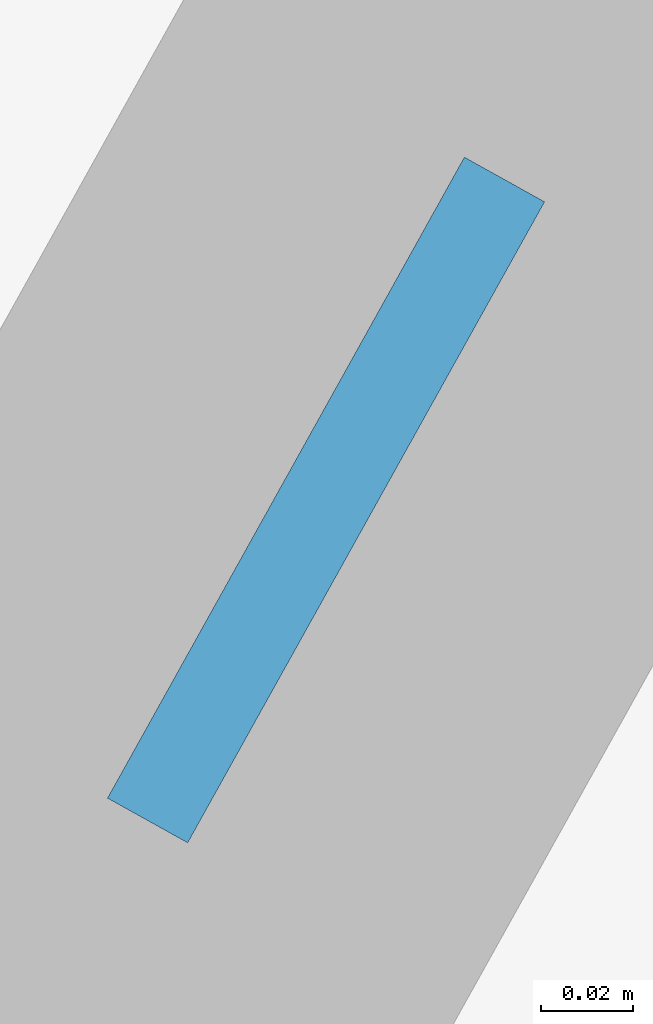
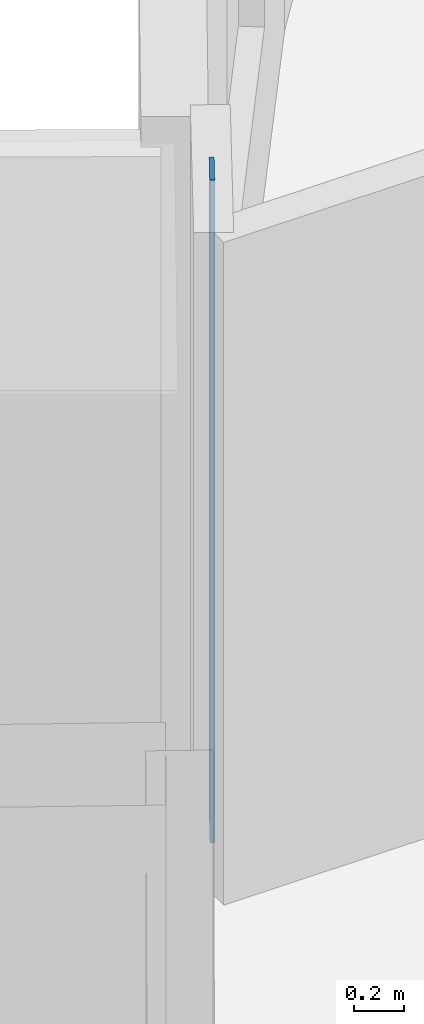
# One storey, part 2 of 12: 1 plate.
"""IFC4 building model written with IfcOpenShell, lengths in metres."""

from ifc_helpers import new_model, si_unit, direction, frame, origin, origin_2d, place, context, subcontext, project, spatial, rectangle, extrude, material, layer, layer_set, type_object, element, save


model = new_model("IFC4")

# Units and contexts
model_context = context("Model", 3, precision=1e-05, world=origin(), true_north=direction((0.0, 1.0)))
body_context = subcontext(model_context, "Body", "Model", "MODEL_VIEW")
ifc_project = project(units=[si_unit("LENGTHUNIT", "METRE"), si_unit("AREAUNIT", "SQUARE_METRE"), si_unit("VOLUMEUNIT", "CUBIC_METRE"), si_unit("PLANEANGLEUNIT", "RADIAN"), si_unit("MASSUNIT", "GRAM", prefix="KILO")], contexts=[model_context])

# Site, building, storey
site_placement = place(None, origin())
site = spatial("IfcSite", under=ifc_project, at=site_placement, CompositionType="ELEMENT")
building_placement = place(site_placement, origin())
building = spatial("IfcBuilding", under=site, at=building_placement, Name="Miruveldt Soraemaru", CompositionType="ELEMENT")
storey_placement = place(building_placement, frame((0.0, 0.0, 145.89990234375)))
storey = spatial("IfcBuildingStorey", under=building, at=storey_placement, Name="L40", CompositionType="ELEMENT", Elevation=145.89990234375)

# Plate
ifc_material = material(Name="Anodised aluminium EN AW-6063 T6", Category="aluminium")
ifc_layer = layer(ifc_material, 0.02001953125, Name="Anodised aluminium EN AW-6063 T6", Category="aluminium")
ifc_layer_set = layer_set([ifc_layer], Name="Anodised aluminium EN AW-6063 T6")
plate_type = type_object("IfcPlateType", Name="PLT-PART-TRIM", PredefinedType="SHEET", material=ifc_layer_set)
plate_placement = place(storey_placement, frame((30.999755859375, 54.939208984375, 0.0), z_axis=(0.0, 0.0, 1.0), x_axis=(0.486487875037, 0.873687328191, 0.0)))
element("IfcPlate", 1, at=plate_placement, inside=storey, type_object=plate_type, Name="L40 Partition Step Corner Trim Plate 002", PredefinedType="SHEET", context=body_context, shape_type="SweptSolid", body=[
    extrude(rectangle(XDim=0.159912109375, YDim=0.02001953125, at=origin_2d()), origin(), (0.0, 0.0, 1.0), 3.235107421875),
])

save(model, "model.ifc")
